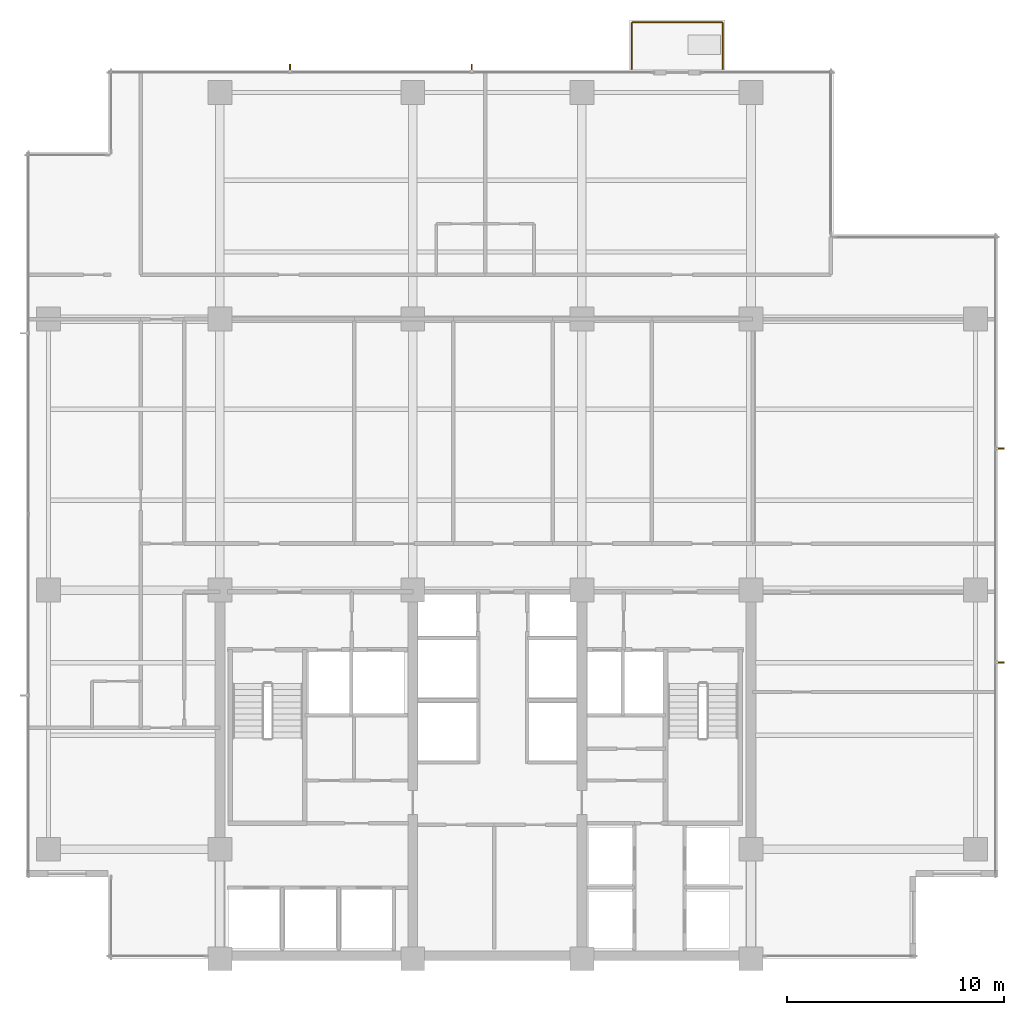
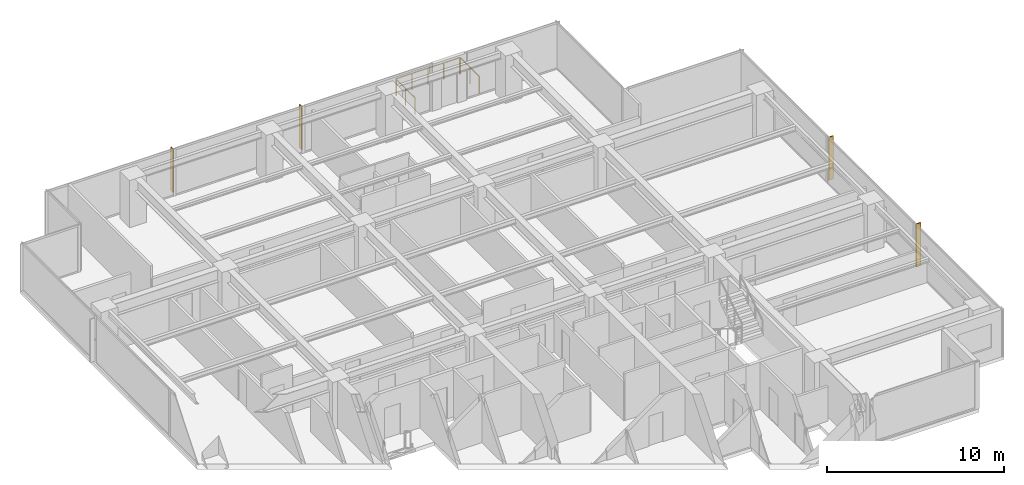
# One storey, part 15 of 15: 4 shading devices, 3 railings.
"""IFC4 building model written with IfcOpenShell, lengths in metres."""

from ifc_helpers import new_model, si_unit, direction, frame, origin, origin_2d, place, context, subcontext, project, spatial, polyline, circle, outline, extrude, material, layer, layer_set, type_object, element, save


model = new_model("IFC4")

# Units and contexts
model_context = context("Model", 3, precision=1e-05, world=origin(), true_north=direction((0.0, 1.0)))
body_context = subcontext(model_context, "Body", "Model", "MODEL_VIEW")
ifc_project = project(units=[si_unit("LENGTHUNIT", "METRE"), si_unit("AREAUNIT", "SQUARE_METRE"), si_unit("VOLUMEUNIT", "CUBIC_METRE"), si_unit("PLANEANGLEUNIT", "RADIAN"), si_unit("MASSUNIT", "GRAM", prefix="KILO")], contexts=[model_context])

# Site, building, storey
site_placement = place(None, origin())
site = spatial("IfcSite", under=ifc_project, at=site_placement, CompositionType="ELEMENT")
building_placement = place(site_placement, origin())
building = spatial("IfcBuilding", under=site, at=building_placement, Name="Qalmaran Belvedere Hotel", CompositionType="ELEMENT")
storey_placement = place(building_placement, frame((0.0, 0.0, 149.10009765625)))
storey = spatial("IfcBuildingStorey", under=building, at=storey_placement, Name="L37", CompositionType="ELEMENT", Elevation=149.10009765625)

# Shading devices
ifc_material = material(Name="Anodised Bronze Aluminium", Category="aluminium")
ifc_layer = layer(ifc_material, 0.06494140625, Name="Anodised Bronze Aluminium")
ifc_layer_set = layer_set([ifc_layer], Name="Anodised Bronze Aluminium")
shading_device_type = type_object("IfcShadingDeviceType", Name="FIN-BRNZ-300", PredefinedType="USERDEFINED", material=ifc_layer_set)
shading_device_1_placement = place(storey_placement, frame((0.0, 0.0, 0.159912109375)))
element("IfcShadingDevice", 1, at=shading_device_1_placement, inside=storey, type_object=shading_device_type, Name="L37 Bronze Fin 1", ObjectType="FIN", PredefinedType="USERDEFINED", context=body_context, shape_type="SweptSolid", body=[
    extrude(outline(polyline([(56.169921875, 17.13427734375), (56.469970703125, 17.13427734375), (56.469970703125, 17.19921875), (56.169921875, 17.19921875), (56.169921875, 17.13427734375)])), origin(), (0.0, 0.0, 1.0), 2.969970703125),
])
shading_device_2_placement = place(storey_placement, frame((0.0, 0.0, 0.159912109375)))
element("IfcShadingDevice", 2, at=shading_device_2_placement, inside=storey, type_object=shading_device_type, Name="L37 Bronze Fin 2", ObjectType="FIN", PredefinedType="USERDEFINED", context=body_context, shape_type="SweptSolid", body=[
    extrude(outline(polyline([(56.169921875, 27.000732421875), (56.469970703125, 27.000732421875), (56.469970703125, 27.06591796875), (56.169921875, 27.06591796875), (56.169921875, 27.000732421875)])), origin(), (0.0, 0.0, 1.0), 2.969970703125),
])
shading_device_3_placement = place(storey_placement, frame((0.0, 0.0, 0.159912109375)))
element("IfcShadingDevice", 3, at=shading_device_3_placement, inside=storey, type_object=shading_device_type, Name="L37 Bronze Fin 1", ObjectType="FIN", PredefinedType="USERDEFINED", context=body_context, shape_type="SweptSolid", body=[
    extrude(outline(polyline([(31.94921875, 44.469970703125), (31.94921875, 44.77001953125), (31.88427734375, 44.77001953125), (31.88427734375, 44.469970703125), (31.94921875, 44.469970703125)])), origin(), (0.0, 0.0, 1.0), 2.969970703125),
])
shading_device_4_placement = place(storey_placement, frame((0.0, 0.0, 0.159912109375)))
element("IfcShadingDevice", 4, at=shading_device_4_placement, inside=storey, type_object=shading_device_type, Name="L37 Bronze Fin 2", ObjectType="FIN", PredefinedType="USERDEFINED", context=body_context, shape_type="SweptSolid", body=[
    extrude(outline(polyline([(23.56591796875, 44.469970703125), (23.56591796875, 44.77001953125), (23.500732421875, 44.77001953125), (23.500732421875, 44.469970703125), (23.56591796875, 44.469970703125)])), origin(), (0.0, 0.0, 1.0), 2.969970703125),
])

# Railings
railing_type = type_object("IfcRailingType", Name="GRD-BAL-1150", PredefinedType="BALUSTRADE", material=ifc_material)
railing_1_placement = place(storey_placement, frame((39.300048828125, 44.534912109375, 0.0)))
element("IfcRailing", 5, at=railing_1_placement, inside=storey, type_object=railing_type, Name="L37 Guardrail BAL-L37-N-1", PredefinedType="BALUSTRADE", context=body_context, shape_type="SweptSolid", body=[
    extrude(circle(Radius=0.02392578125, at=origin_2d()), frame((0.0, 0.0, 1.1259765625), z_axis=(0.0, 1.0, 0.0), x_axis=(-1.0, 0.0, 0.0)), (0.0, 0.0, 1.0), 2.130126953125),
    extrude(circle(Radius=0.02099609375, at=origin_2d()), origin(), (0.0, 0.0, 1.0), 1.101806640625),
    extrude(circle(Radius=0.02099609375, at=origin_2d()), frame((0.0, 1.06494140625, 0.0)), (0.0, 0.0, 1.0), 1.101806640625),
    extrude(circle(Radius=0.02099609375, at=origin_2d()), frame((0.0, 2.130126953125, 0.0)), (0.0, 0.0, 1.0), 1.101806640625),
])
railing_2_placement = place(storey_placement, frame((39.3349609375, 46.699951171875, 0.0)))
element("IfcRailing", 6, at=railing_2_placement, inside=storey, type_object=railing_type, Name="L37 Guardrail BAL-L37-N-2", PredefinedType="BALUSTRADE", context=body_context, shape_type="SweptSolid", body=[
    extrude(circle(Radius=0.02392578125, at=origin_2d()), frame((0.0, 0.0, 1.1259765625), z_axis=(1.0, 0.0, 0.0), x_axis=(0.0, 1.0, 0.0)), (0.0, 0.0, 1.0), 4.130126953125),
    extrude(circle(Radius=0.02099609375, at=origin_2d()), origin(), (0.0, 0.0, 1.0), 1.101806640625),
    extrude(circle(Radius=0.02099609375, at=origin_2d()), frame((1.032470703125, 0.0, 0.0)), (0.0, 0.0, 1.0), 1.101806640625),
    extrude(circle(Radius=0.02099609375, at=origin_2d()), frame((2.06494140625, 0.0, 0.0)), (0.0, 0.0, 1.0), 1.101806640625),
    extrude(circle(Radius=0.02099609375, at=origin_2d()), frame((3.09765625, 0.0, 0.0)), (0.0, 0.0, 1.0), 1.101806640625),
    extrude(circle(Radius=0.02099609375, at=origin_2d()), frame((4.130126953125, 0.0, 0.0)), (0.0, 0.0, 1.0), 1.101806640625),
])
railing_3_placement = place(storey_placement, frame((43.5, 46.6650390625, 0.0)))
element("IfcRailing", 7, at=railing_3_placement, inside=storey, type_object=railing_type, Name="L37 Guardrail BAL-L37-N-3", PredefinedType="BALUSTRADE", context=body_context, shape_type="SweptSolid", body=[
    extrude(circle(Radius=0.02392578125, at=origin_2d()), frame((0.0, 0.0, 1.1259765625), z_axis=(0.0, -1.0, 0.0), x_axis=(1.0, 0.0, 0.0)), (0.0, 0.0, 1.0), 2.130126953125),
    extrude(circle(Radius=0.02099609375, at=origin_2d()), origin(), (0.0, 0.0, 1.0), 1.101806640625),
    extrude(circle(Radius=0.02099609375, at=origin_2d()), frame((0.0, -1.06494140625, 0.0)), (0.0, 0.0, 1.0), 1.101806640625),
    extrude(circle(Radius=0.02099609375, at=origin_2d()), frame((0.0, -2.130126953125, 0.0)), (0.0, 0.0, 1.0), 1.101806640625),
])

save(model, "model.ifc")
